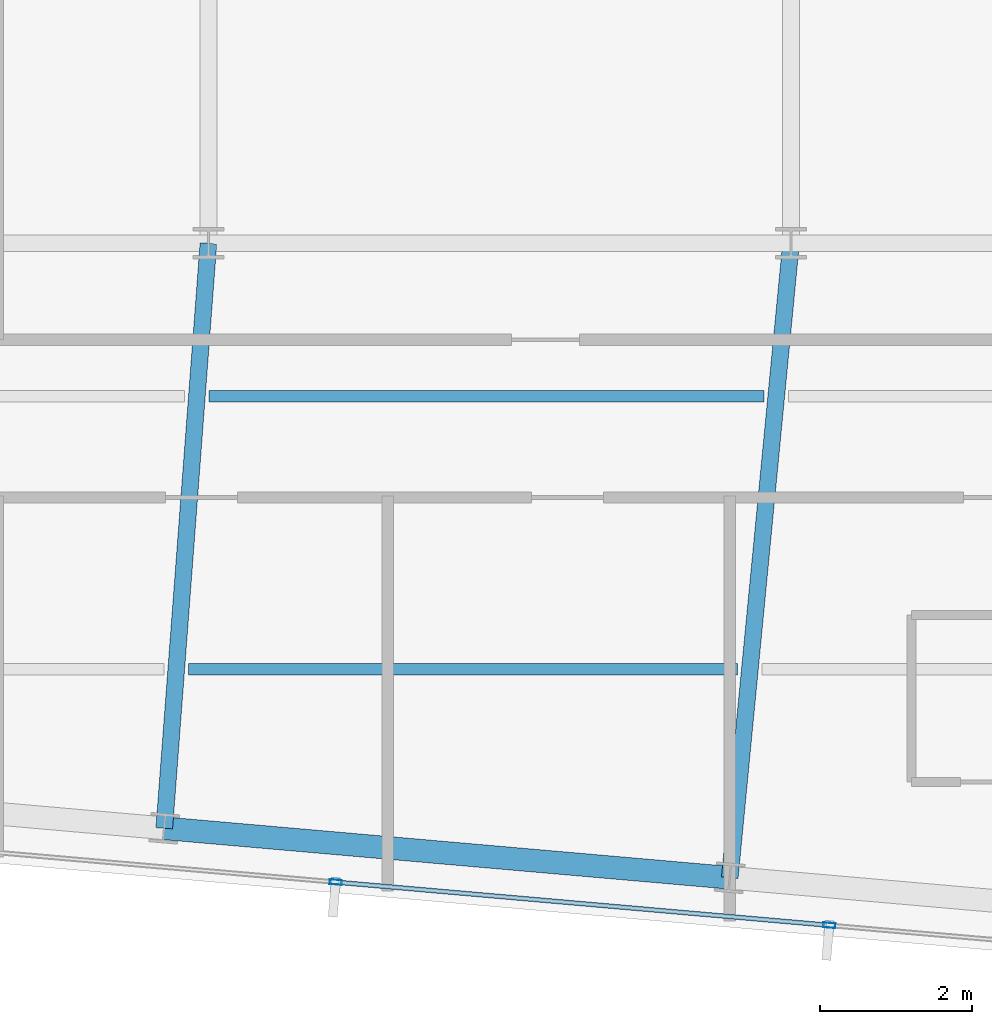
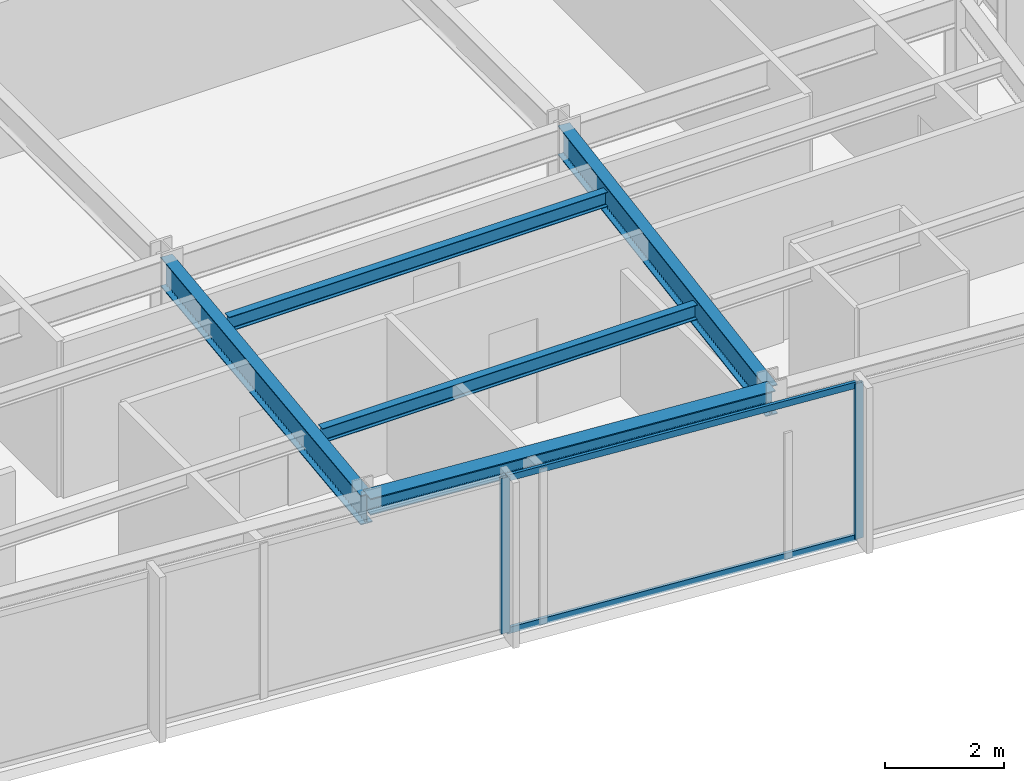
# One storey, part 13 of 32: 5 beams, 4 members, 1 element without a shape of its own.
"""IFC4 building model written with IfcOpenShell, lengths in metres."""

import ifcopenshell
import ifcopenshell.guid

model = None  # the IFC model being written
_history = None  # IfcOwnerHistory: only IFC2X3 demands one
_inside = {}  # id of a spatial element -> (the spatial element, [elements in it])
_under = {}  # id of a project, library or spatial element -> (it, [spatial elements below it])
_declared = {}  # id of a project -> (the project, [libraries it declares])
_typed = {}  # id of a type object -> (the type object, [elements of that type])
_made_of = {}  # id of a material, layer set ... -> (it, [elements and type objects made of it])


def new_model(schema):
    """Start an empty IFC model of exactly this schema.

    Asked for "IFC4X3", IfcOpenShell would pick the latest addendum, in which some entities
    have other attributes; the version numbers below select the first issue.
    IFC2X3 requires an IfcOwnerHistory on every rooted entity: one is made here for all.
    """
    global model, _history
    if schema == "IFC4X3":
        model = ifcopenshell.file(schema_version=(4, 3, 0, 0))
    else:
        model = ifcopenshell.file(schema=schema)
    _inside.clear()
    _under.clear()
    _declared.clear()
    _typed.clear()
    _made_of.clear()
    _history = None
    if model.schema == "IFC2X3":
        org = make("IfcOrganization", Name="unknown")
        user = make(
            "IfcPersonAndOrganization",
            ThePerson=make("IfcPerson", FamilyName="unknown"),
            TheOrganization=org,
        )
        app = make(
            "IfcApplication",
            ApplicationDeveloper=org,
            Version="unknown",
            ApplicationFullName="unknown",
            ApplicationIdentifier="unknown",
        )
        _history = make(
            "IfcOwnerHistory",
            OwningUser=user,
            OwningApplication=app,
            ChangeAction="ADDED",
            CreationDate=0,
        )
    return model


def make(cls, **values):
    """One entity of the class cls with the attributes given. An attribute that is None is left unset."""
    return model.create_entity(
        cls, **{name: value for name, value in values.items() if value is not None}
    )


def rooted(cls, **values):
    """An entity with a GlobalId (a new one), such as an element, a storey or a relation."""
    return make(cls, GlobalId=ifcopenshell.guid.new(), OwnerHistory=_history, **values)


def si_unit(unit_type, name, prefix=None):
    """IfcSIUnit, for example si_unit("LENGTHUNIT", "METRE", prefix="MILLI")."""
    return make("IfcSIUnit", UnitType=unit_type, Prefix=prefix, Name=name)


def assignment(units):
    """IfcUnitAssignment: the units of a project."""
    return None if units is None else make("IfcUnitAssignment", Units=units)


def point(xyz):
    """IfcCartesianPoint."""
    return None if xyz is None else make("IfcCartesianPoint", Coordinates=xyz)


def direction(xyz):
    """IfcDirection."""
    return None if xyz is None else make("IfcDirection", DirectionRatios=xyz)


def frame(location, z_axis=None, x_axis=None):
    """IfcAxis2Placement3D, a coordinate frame: its origin and axes. An axis left out is left unset."""
    return make(
        "IfcAxis2Placement3D",
        Location=point(location),
        Axis=direction(z_axis),
        RefDirection=direction(x_axis),
    )


def frame_2d(location, x_axis=None):
    """IfcAxis2Placement2D, a coordinate frame in the plane: its origin and x axis."""
    return make(
        "IfcAxis2Placement2D", Location=point(location), RefDirection=direction(x_axis)
    )


def origin():
    """The frame at (0, 0, 0) with its axes left unset."""
    return frame((0.0, 0.0, 0.0))


def origin_2d():
    """The frame at (0, 0) in the plane with its x axis left unset."""
    return frame_2d((0.0, 0.0))


def place(relative_to, where):
    """IfcLocalPlacement: puts the frame where relative to a parent placement (None: the world)."""
    return make(
        "IfcLocalPlacement", PlacementRelTo=relative_to, RelativePlacement=where
    )


def context(
    kind, dimensions, precision=None, world=None, true_north=None, identifier=None
):
    """IfcGeometricRepresentationContext, for example the 3D "Model" context."""
    return make(
        "IfcGeometricRepresentationContext",
        ContextIdentifier=identifier,
        ContextType=kind,
        CoordinateSpaceDimension=dimensions,
        Precision=precision,
        WorldCoordinateSystem=world,
        TrueNorth=true_north,
    )


def subcontext(parent, identifier, kind, view, scale=None):
    """IfcGeometricRepresentationSubContext, for example "Body" below "Model"."""
    return make(
        "IfcGeometricRepresentationSubContext",
        ContextIdentifier=identifier,
        ContextType=kind,
        ParentContext=parent,
        TargetScale=scale,
        TargetView=view,
    )


def project(units=None, contexts=None):
    """IfcProject with its units and contexts."""
    return rooted(
        "IfcProject",
        Name="project",
        RepresentationContexts=contexts,
        UnitsInContext=assignment(units),
    )


def spatial(cls, under=None, at=None, **own):
    """A site, building, storey or space (cls), placed at a placement, below another one or the project."""
    s = rooted(cls, ObjectPlacement=at, **own)
    if under is not None:
        _under.setdefault(under.id(), (under, []))[1].append(s)
    return s


def profile(cls, at=None, kind="AREA", **sizes):
    """A parametric profile (cls). Its sizes go by their IFC names, for example OverallWidth=200.0."""
    return make(cls, ProfileType=kind, Position=at, **sizes)


def hollow_rectangle(**sizes):
    """IfcRectangleHollowProfileDef."""
    return profile("IfcRectangleHollowProfileDef", **sizes)


def i_section(**sizes):
    """IfcIShapeProfileDef."""
    return profile("IfcIShapeProfileDef", **sizes)


def extrude(swept, where, along, depth):
    """IfcExtrudedAreaSolid: the profile swept, set in the frame where, extruded along a direction by depth."""
    return make(
        "IfcExtrudedAreaSolid",
        SweptArea=swept,
        Position=where,
        ExtrudedDirection=direction(along),
        Depth=depth,
    )


def shape(context_of_items, identifier, shape_type, items):
    """IfcShapeRepresentation: the items that make up one representation, for example the "Body"."""
    return make(
        "IfcShapeRepresentation",
        ContextOfItems=context_of_items,
        RepresentationIdentifier=identifier,
        RepresentationType=shape_type,
        Items=items,
    )


def material(Name=None, Category=None):
    """IfcMaterial."""
    return make("IfcMaterial", Name=Name, Category=Category)


def material_profile(
    of_material, cross_section, Name=None, Category=None, Priority=None
):
    """IfcMaterialProfile: a cross section and its material."""
    return make(
        "IfcMaterialProfile",
        Name=Name,
        Material=of_material,
        Profile=cross_section,
        Priority=Priority,
        Category=Category,
    )


def profile_set(profiles, Name=None, composite=None):
    """IfcMaterialProfileSet."""
    return make(
        "IfcMaterialProfileSet",
        Name=Name,
        MaterialProfiles=profiles,
        CompositeProfile=composite,
    )


def made_of(thing, what):
    """Note that an element or type object is made of a material, layer set ...; save() writes the relation."""
    if what is not None:
        _made_of.setdefault(what.id(), (what, []))[1].append(thing)
    return thing


def type_object(cls, material=None, **own):
    """A type object (cls), such as IfcWallType, which elements share."""
    return made_of(rooted(cls, **own), material)


def element(
    cls,
    number,
    at=None,
    inside=None,
    cuts=None,
    type_object=None,
    material=None,
    context=None,
    identifier="Body",
    shape_type=None,
    held_by="IfcProductDefinitionShape",
    body=None,
    shapes=None,
    **own,
):
    """One element of the class cls, such as IfcWall. Its Tag is "e" and its number.

    at: its placement. inside: the storey or other place that contains it. cuts: it is an
    opening in that element (IfcRelVoidsElement). A single representation is given by context,
    identifier, shape_type and body (its items); several are given by shapes. held_by: the class
    of the entity that holds the representations. save() writes the other relations.
    """
    e = rooted(cls, Tag="e%d" % number, ObjectPlacement=at, **own)
    if body is not None:
        shapes = [shape(context, identifier, shape_type, body)]
    if shapes is not None:
        e.Representation = make(held_by, Representations=shapes)
    if inside is not None:
        _inside.setdefault(inside.id(), (inside, []))[1].append(e)
    if cuts is not None:
        rooted(
            "IfcRelVoidsElement", RelatingBuildingElement=cuts, RelatedOpeningElement=e
        )
    if type_object is not None:
        _typed.setdefault(type_object.id(), (type_object, []))[1].append(e)
    return made_of(e, material)


def aggregate(whole, parts):
    """IfcRelAggregates: a whole, such as a stair, and the parts it consists of."""
    return rooted("IfcRelAggregates", RelatingObject=whole, RelatedObjects=parts)


def save(model, path):
    """Write the relations noted so far, then the file.

    IfcRelAggregates (storeys below a building ...), IfcRelContainedInSpatialStructure (elements
    in a storey), IfcRelDefinesByType, IfcRelAssociatesMaterial and IfcRelDeclares: one each for
    every whole, place, type object, material and project.
    """
    for whole, parts in _under.values():
        aggregate(whole, parts)
    for where, things in _inside.values():
        rooted(
            "IfcRelContainedInSpatialStructure",
            RelatedElements=things,
            RelatingStructure=where,
        )
    for kind, things in _typed.values():
        rooted("IfcRelDefinesByType", RelatedObjects=things, RelatingType=kind)
    for what, things in _made_of.values():
        rooted("IfcRelAssociatesMaterial", RelatedObjects=things, RelatingMaterial=what)
    for by, libraries in _declared.values():
        rooted("IfcRelDeclares", RelatingContext=by, RelatedDefinitions=libraries)
    model.write(path)


model = new_model("IFC4")

# Units and contexts
model_context = context("Model", 3, precision=1e-05, world=origin(), true_north=direction((0.0, 1.0)))
body_context = subcontext(model_context, "Body", "Model", "MODEL_VIEW")
ifc_project = project(units=[si_unit("LENGTHUNIT", "METRE"), si_unit("AREAUNIT", "SQUARE_METRE"), si_unit("VOLUMEUNIT", "CUBIC_METRE"), si_unit("PLANEANGLEUNIT", "RADIAN"), si_unit("MASSUNIT", "GRAM", prefix="KILO")], contexts=[model_context])

# Site, building, storey
site_placement = place(None, origin())
site = spatial("IfcSite", under=ifc_project, at=site_placement, CompositionType="ELEMENT")
building_placement = place(site_placement, origin())
building = spatial("IfcBuilding", under=site, at=building_placement, Name="Yelkora Congress Tower", CompositionType="ELEMENT")
storey_placement = place(building_placement, frame((0.0, 0.0, 279.5)))
storey = spatial("IfcBuildingStorey", under=building, at=storey_placement, Name="L78", CompositionType="ELEMENT", Elevation=279.5)

# Beams
ifc_material_1 = material(Name="Steel S355J2", Category="steel")
ifc_material_profile_1 = material_profile(ifc_material_1, i_section(OverallWidth=0.219970703125, OverallDepth=0.60009765625, WebThickness=0.011962890625, FlangeThickness=0.01904296875, FilletRadius=0.02392578125, at=origin_2d()), Name="IPE 600")
ifc_profile_set_1 = profile_set([ifc_material_profile_1], Name="Steel S355J2")
beam_type_1 = type_object("IfcBeamType", Name="BM-GIRD-IPE600", PredefinedType="BEAM", material=ifc_profile_set_1)
beam_1_placement = place(storey_placement, frame((37.8173828125, 17.489013671875, 2.8798828125), z_axis=(0.075329932006, 0.997158664077, 0.0), x_axis=(-0.997158664077, 0.075329932006, 0.0)))
element("IfcBeam", 1, at=beam_1_placement, inside=storey, type_object=beam_type_1, Name="L78 Primary Frame Girder S05", PredefinedType="BEAM", context=body_context, shape_type="SweptSolid", body=[
    extrude(i_section(OverallWidth=0.219970703125, OverallDepth=0.60009765625, WebThickness=0.011962890625, FlangeThickness=0.01904296875, FilletRadius=0.02392578125, at=origin_2d()), origin(), (0.0, 0.0, 1.0), 7.73291015625),
])
beam_2_placement = place(storey_placement, frame((45.2724609375, 16.836669921875, 2.8798828125), z_axis=(0.096119896563, 0.995369763196, 0.0), x_axis=(-0.995369763196, 0.096119896563, 0.0)))
element("IfcBeam", 2, at=beam_2_placement, inside=storey, type_object=beam_type_1, Name="L78 Primary Frame Girder S06", PredefinedType="BEAM", context=body_context, shape_type="SweptSolid", body=[
    extrude(i_section(OverallWidth=0.219970703125, OverallDepth=0.60009765625, WebThickness=0.011962890625, FlangeThickness=0.01904296875, FilletRadius=0.02392578125, at=origin_2d()), origin(), (0.0, 0.0, 1.0), 8.402099609375),
])
ifc_material_profile_2 = material_profile(ifc_material_1, i_section(OverallWidth=0.14990234375, OverallDepth=0.300048828125, WebThickness=0.007080078125, FlangeThickness=0.0107421875, FilletRadius=0.014892578125, at=origin_2d()), Name="IPE 300")
ifc_profile_set_2 = profile_set([ifc_material_profile_2], Name="Steel S355J2")
beam_type_2 = type_object("IfcBeamType", Name="BM-JOIST-IPE300", PredefinedType="JOIST", material=ifc_profile_set_2)
beam_3_placement = place(storey_placement, frame((38.1357421875, 19.58447265625, 3.030029296875), z_axis=(1.0, 0.0, 0.0), x_axis=(0.0, 1.0, 0.0)))
element("IfcBeam", 3, at=beam_3_placement, inside=storey, type_object=beam_type_2, Name="L78 Composite Floor Joist 3", PredefinedType="JOIST", context=body_context, shape_type="SweptSolid", body=[
    extrude(i_section(OverallWidth=0.14990234375, OverallDepth=0.300048828125, WebThickness=0.007080078125, FlangeThickness=0.0107421875, FilletRadius=0.014892578125, at=origin_2d()), origin(), (0.0, 0.0, 1.0), 7.241943359375),
])
beam_4_placement = place(storey_placement, frame((38.40771484375, 23.1845703125, 3.030029296875), z_axis=(1.0, 0.0, 0.0), x_axis=(0.0, 1.0, 0.0)))
element("IfcBeam", 4, at=beam_4_placement, inside=storey, type_object=beam_type_2, Name="L78 Composite Floor Joist 7", PredefinedType="JOIST", context=body_context, shape_type="SweptSolid", body=[
    extrude(i_section(OverallWidth=0.14990234375, OverallDepth=0.300048828125, WebThickness=0.007080078125, FlangeThickness=0.0107421875, FilletRadius=0.014892578125, at=origin_2d()), origin(), (0.0, 0.0, 1.0), 7.317626953125),
])
ifc_material_profile_3 = material_profile(ifc_material_1, i_section(OverallWidth=0.300048828125, OverallDepth=0.340087890625, WebThickness=0.011962890625, FlangeThickness=0.021484375, FilletRadius=0.027099609375, at=origin_2d()), Name="HEB 340")
ifc_profile_set_3 = profile_set([ifc_material_profile_3], Name="Steel S355J2")
beam_type_3 = type_object("IfcBeamType", Name="BM-SPAN-HEB340", PredefinedType="SPANDREL", material=ifc_profile_set_3)
beam_5_placement = place(storey_placement, frame((37.8173828125, 17.489013671875, 3.010009765625), z_axis=(0.996193434204, -0.08717018785, 0.0), x_axis=(0.08717018785, 0.996193434204, 0.0)))
element("IfcBeam", 5, at=beam_5_placement, inside=storey, type_object=beam_type_3, Name="L78 Perimeter Beam 5", PredefinedType="SPANDREL", context=body_context, shape_type="SweptSolid", body=[
    extrude(i_section(OverallWidth=0.300048828125, OverallDepth=0.340087890625, WebThickness=0.011962890625, FlangeThickness=0.021484375, FilletRadius=0.027099609375, at=origin_2d()), origin(), (0.0, 0.0, 1.0), 7.483642578125),
])

# Curtain wall, members
ifc_material_2 = material(Name="Anodised aluminium and insulated glass", Category="aluminium")
curtain_wall_type = type_object("IfcCurtainWallType", Name="CW-SYS-B5", PredefinedType="NOTDEFINED", material=ifc_material_2)
curtain_wall_placement = place(storey_placement, origin())
curtain_wall = element("IfcCurtainWall", 6, at=curtain_wall_placement, inside=storey, type_object=curtain_wall_type, Name="L78 Unitised Curtain Wall 20", PredefinedType="NOTDEFINED")
ifc_material_3 = material(Name="Anodised aluminium 6063-T6", Category="aluminium")
ifc_material_profile_4 = material_profile(ifc_material_3, hollow_rectangle(XDim=0.06494140625, YDim=0.159912109375, WallThickness=0.00390625, at=origin_2d()), Name="ALU 65x160x4")
ifc_profile_set_4 = profile_set([ifc_material_profile_4], Name="Anodised aluminium 6063-T6")
member_type_1 = type_object("IfcMemberType", Name="MEM-ML-B5", PredefinedType="MULLION", material=ifc_profile_set_4)
member_1_placement = place(storey_placement, frame((46.58447265625, 16.2099609375, 0.0), z_axis=(0.0, 0.0, 1.0), x_axis=(-0.087156829793, -0.996194602987, 0.0)))
member_1 = element("IfcMember", 7, at=member_1_placement, type_object=member_type_1, Name="CW-B5 mullion 2", PredefinedType="MULLION", context=body_context, shape_type="SweptSolid", body=[
    extrude(hollow_rectangle(XDim=0.06494140625, YDim=0.159912109375, WallThickness=0.00390625, at=origin_2d()), origin(), (0.0, 0.0, 1.0), 3.179931640625),
])
member_2_placement = place(storey_placement, frame((40.077880859375, 16.779296875, 0.0), z_axis=(0.0, 0.0, 1.0), x_axis=(-0.087156829793, -0.996194602987, 0.0)))
member_2 = element("IfcMember", 8, at=member_2_placement, type_object=member_type_1, Name="CW-B5 mullion 3", PredefinedType="MULLION", context=body_context, shape_type="SweptSolid", body=[
    extrude(hollow_rectangle(XDim=0.06494140625, YDim=0.159912109375, WallThickness=0.00390625, at=origin_2d()), origin(), (0.0, 0.0, 1.0), 3.179931640625),
])
ifc_material_profile_5 = material_profile(ifc_material_3, hollow_rectangle(XDim=0.06005859375, YDim=0.1298828125, WallThickness=0.00390625, at=origin_2d()), Name="ALU 60x130x4")
ifc_profile_set_5 = profile_set([ifc_material_profile_5], Name="Anodised aluminium 6063-T6")
member_type_2 = type_object("IfcMemberType", Name="MEM-TR-B5", PredefinedType="USERDEFINED", material=ifc_profile_set_5)
member_3_placement = place(storey_placement, frame((46.55224609375, 16.212890625, 0.030029296875), z_axis=(-0.996196257862, 0.087137912649, 0.0), x_axis=(-0.087137912649, -0.996196257862, 0.0)))
member_3 = element("IfcMember", 9, at=member_3_placement, type_object=member_type_2, Name="CW-B5 transom 2.1", ObjectType="TRANSOM", PredefinedType="USERDEFINED", context=body_context, shape_type="SweptSolid", body=[
    extrude(hollow_rectangle(XDim=0.06005859375, YDim=0.1298828125, WallThickness=0.00390625, at=origin_2d()), origin(), (0.0, 0.0, 1.0), 6.466552734375),
])
member_4_placement = place(storey_placement, frame((46.55224609375, 16.212890625, 3.14990234375), z_axis=(-0.996196257862, 0.087137912649, 0.0), x_axis=(-0.087137912649, -0.996196257862, 0.0)))
member_4 = element("IfcMember", 10, at=member_4_placement, type_object=member_type_2, Name="CW-B5 transom 2.2", ObjectType="TRANSOM", PredefinedType="USERDEFINED", context=body_context, shape_type="SweptSolid", body=[
    extrude(hollow_rectangle(XDim=0.06005859375, YDim=0.1298828125, WallThickness=0.00390625, at=origin_2d()), origin(), (0.0, 0.0, 1.0), 6.466552734375),
])
aggregate(curtain_wall, [member_1, member_2, member_3, member_4])

save(model, "model.ifc")
